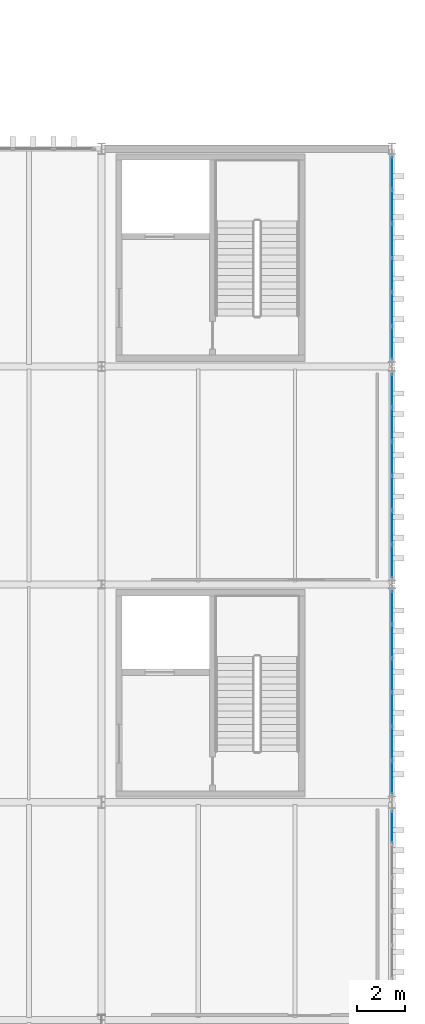
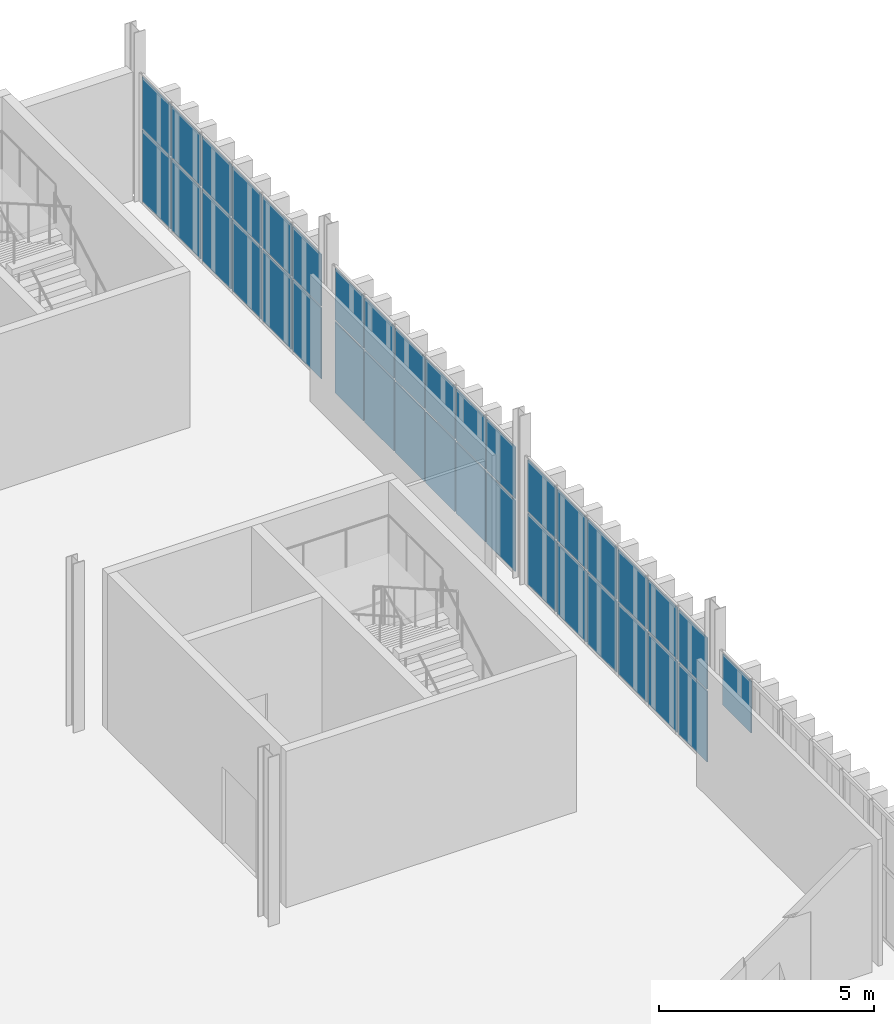
# One storey, part 171 of 196: 37 plates, 4 elements without a shape of their own.
"""IFC4 building model written with IfcOpenShell, lengths in metres."""

from ifc_helpers import new_model, si_unit, direction, frame, origin, origin_2d, place, context, subcontext, project, spatial, rectangle, extrude, material, layer, layer_set, type_object, element, aggregate, save


model = new_model("IFC4")

# Units and contexts
model_context = context("Model", 3, precision=1e-05, world=origin(), true_north=direction((0.0, 1.0)))
body_context = subcontext(model_context, "Body", "Model", "MODEL_VIEW")
ifc_project = project(units=[si_unit("LENGTHUNIT", "METRE"), si_unit("AREAUNIT", "SQUARE_METRE"), si_unit("VOLUMEUNIT", "CUBIC_METRE"), si_unit("PLANEANGLEUNIT", "RADIAN"), si_unit("MASSUNIT", "GRAM", prefix="KILO")], contexts=[model_context])

# Site, building, storey
site_placement = place(None, origin())
site = spatial("IfcSite", under=ifc_project, at=site_placement, CompositionType="ELEMENT")
building_placement = place(site_placement, origin())
building = spatial("IfcBuilding", under=site, at=building_placement, Name="Barlavento Convention Centre", CompositionType="ELEMENT")
storey_placement = place(building_placement, frame((0.0, 0.0, 18.0)))
storey = spatial("IfcBuildingStorey", under=building, at=storey_placement, Name="L03", CompositionType="ELEMENT", Elevation=18.0)

# Curtain wall, plate
ifc_material_1 = material(Name="Powder-coated aluminium and Low-E glass", Category="aluminium")
ifc_layer_1 = layer(ifc_material_1, 0.179931640625)
ifc_layer_set_1 = layer_set([ifc_layer_1], Name="ARC-CW-CONF-L03")
curtain_wall_type = type_object("IfcCurtainWallType", Name="ARC-CW-CONF-L03", PredefinedType="NOTDEFINED", material=ifc_layer_set_1)
curtain_wall_1_placement = place(storey_placement, origin())
curtain_wall_1 = element("IfcCurtainWall", 1, at=curtain_wall_1_placement, inside=storey, type_object=curtain_wall_type, Name="L03 unitised curtain wall CW08", PredefinedType="NOTDEFINED")
ifc_material_2 = material(Name="Double-silver Low-E insulated glass", Category="glass")
ifc_layer_2 = layer(ifc_material_2, 0.028076171875)
ifc_layer_set_2 = layer_set([ifc_layer_2], Name="ARC-CWP-GLZ28")
plate_type = type_object("IfcPlateType", Name="ARC-CWP-GLZ28", PredefinedType="CURTAIN_PANEL", material=ifc_layer_set_2)
plate_1_placement = place(storey_placement, frame((192.0, 70.974609375, 2.130126953125), z_axis=(0.0, 0.0, 1.0), x_axis=(0.0, 1.0, 0.0)))
plate_1 = element("IfcPlate", 2, at=plate_1_placement, type_object=plate_type, Name="CW08 panel 6.2", PredefinedType="CURTAIN_PANEL", context=body_context, shape_type="SweptSolid", body=[
    extrude(rectangle(XDim=1.310791015625, YDim=0.028076171875, at=origin_2d()), origin(), (0.0, 0.0, 1.0), 1.4599609375),
])
aggregate(curtain_wall_1, [plate_1])

# Curtain wall, plates
curtain_wall_2_placement = place(storey_placement, origin())
curtain_wall_2 = element("IfcCurtainWall", 3, at=curtain_wall_2_placement, inside=storey, type_object=curtain_wall_type, Name="L03 unitised curtain wall CW08", PredefinedType="NOTDEFINED")
plate_2_placement = place(storey_placement, frame((192.0, 73.030029296875, 0.06005859375), z_axis=(0.0, 0.0, 1.0), x_axis=(0.0, 1.0, 0.0)))
plate_2 = element("IfcPlate", 4, at=plate_2_placement, type_object=plate_type, Name="CW08 panel 1.1", PredefinedType="CURTAIN_PANEL", context=body_context, shape_type="SweptSolid", body=[
    extrude(rectangle(XDim=1.320068359375, YDim=0.028076171875, at=origin_2d()), origin(), (0.0, 0.0, 1.0), 2.010009765625),
])
plate_3_placement = place(storey_placement, frame((192.0, 73.030029296875, 2.130126953125), z_axis=(0.0, 0.0, 1.0), x_axis=(0.0, 1.0, 0.0)))
plate_3 = element("IfcPlate", 5, at=plate_3_placement, type_object=plate_type, Name="CW08 panel 1.2", PredefinedType="CURTAIN_PANEL", context=body_context, shape_type="SweptSolid", body=[
    extrude(rectangle(XDim=1.320068359375, YDim=0.028076171875, at=origin_2d()), origin(), (0.0, 0.0, 1.0), 1.4599609375),
])
plate_4_placement = place(storey_placement, frame((192.0, 74.425048828125, 0.06005859375), z_axis=(0.0, 0.0, 1.0), x_axis=(0.0, 1.0, 0.0)))
plate_4 = element("IfcPlate", 6, at=plate_4_placement, type_object=plate_type, Name="CW08 panel 2.1", PredefinedType="CURTAIN_PANEL", context=body_context, shape_type="SweptSolid", body=[
    extrude(rectangle(XDim=1.35009765625, YDim=0.028076171875, at=origin_2d()), origin(), (0.0, 0.0, 1.0), 2.010009765625),
])
plate_5_placement = place(storey_placement, frame((192.0, 74.425048828125, 2.130126953125), z_axis=(0.0, 0.0, 1.0), x_axis=(0.0, 1.0, 0.0)))
plate_5 = element("IfcPlate", 7, at=plate_5_placement, type_object=plate_type, Name="CW08 panel 2.2", PredefinedType="CURTAIN_PANEL", context=body_context, shape_type="SweptSolid", body=[
    extrude(rectangle(XDim=1.35009765625, YDim=0.028076171875, at=origin_2d()), origin(), (0.0, 0.0, 1.0), 1.4599609375),
])
plate_6_placement = place(storey_placement, frame((192.0, 75.8349609375, 0.06005859375), z_axis=(0.0, 0.0, 1.0), x_axis=(0.0, 1.0, 0.0)))
plate_6 = element("IfcPlate", 8, at=plate_6_placement, type_object=plate_type, Name="CW08 panel 3.1", PredefinedType="CURTAIN_PANEL", context=body_context, shape_type="SweptSolid", body=[
    extrude(rectangle(XDim=1.35009765625, YDim=0.028076171875, at=origin_2d()), origin(), (0.0, 0.0, 1.0), 2.010009765625),
])
plate_7_placement = place(storey_placement, frame((192.0, 75.8349609375, 2.130126953125), z_axis=(0.0, 0.0, 1.0), x_axis=(0.0, 1.0, 0.0)))
plate_7 = element("IfcPlate", 9, at=plate_7_placement, type_object=plate_type, Name="CW08 panel 3.2", PredefinedType="CURTAIN_PANEL", context=body_context, shape_type="SweptSolid", body=[
    extrude(rectangle(XDim=1.35009765625, YDim=0.028076171875, at=origin_2d()), origin(), (0.0, 0.0, 1.0), 1.4599609375),
])
plate_8_placement = place(storey_placement, frame((192.0, 77.2451171875, 0.06005859375), z_axis=(0.0, 0.0, 1.0), x_axis=(0.0, 1.0, 0.0)))
plate_8 = element("IfcPlate", 10, at=plate_8_placement, type_object=plate_type, Name="CW08 panel 4.1", PredefinedType="CURTAIN_PANEL", context=body_context, shape_type="SweptSolid", body=[
    extrude(rectangle(XDim=1.35009765625, YDim=0.028076171875, at=origin_2d()), origin(), (0.0, 0.0, 1.0), 2.010009765625),
])
plate_9_placement = place(storey_placement, frame((192.0, 77.2451171875, 2.130126953125), z_axis=(0.0, 0.0, 1.0), x_axis=(0.0, 1.0, 0.0)))
plate_9 = element("IfcPlate", 11, at=plate_9_placement, type_object=plate_type, Name="CW08 panel 4.2", PredefinedType="CURTAIN_PANEL", context=body_context, shape_type="SweptSolid", body=[
    extrude(rectangle(XDim=1.35009765625, YDim=0.028076171875, at=origin_2d()), origin(), (0.0, 0.0, 1.0), 1.4599609375),
])
plate_10_placement = place(storey_placement, frame((192.0, 78.655029296875, 0.06005859375), z_axis=(0.0, 0.0, 1.0), x_axis=(0.0, 1.0, 0.0)))
plate_10 = element("IfcPlate", 12, at=plate_10_placement, type_object=plate_type, Name="CW08 panel 5.1", PredefinedType="CURTAIN_PANEL", context=body_context, shape_type="SweptSolid", body=[
    extrude(rectangle(XDim=1.35009765625, YDim=0.028076171875, at=origin_2d()), origin(), (0.0, 0.0, 1.0), 2.010009765625),
])
plate_11_placement = place(storey_placement, frame((192.0, 78.655029296875, 2.130126953125), z_axis=(0.0, 0.0, 1.0), x_axis=(0.0, 1.0, 0.0)))
plate_11 = element("IfcPlate", 13, at=plate_11_placement, type_object=plate_type, Name="CW08 panel 5.2", PredefinedType="CURTAIN_PANEL", context=body_context, shape_type="SweptSolid", body=[
    extrude(rectangle(XDim=1.35009765625, YDim=0.028076171875, at=origin_2d()), origin(), (0.0, 0.0, 1.0), 1.4599609375),
])
plate_12_placement = place(storey_placement, frame((192.0, 80.050048828125, 0.06005859375), z_axis=(0.0, 0.0, 1.0), x_axis=(0.0, 1.0, 0.0)))
plate_12 = element("IfcPlate", 14, at=plate_12_placement, type_object=plate_type, Name="CW08 panel 6.1", PredefinedType="CURTAIN_PANEL", context=body_context, shape_type="SweptSolid", body=[
    extrude(rectangle(XDim=1.320068359375, YDim=0.028076171875, at=origin_2d()), origin(), (0.0, 0.0, 1.0), 2.010009765625),
])
plate_13_placement = place(storey_placement, frame((192.0, 80.050048828125, 2.130126953125), z_axis=(0.0, 0.0, 1.0), x_axis=(0.0, 1.0, 0.0)))
plate_13 = element("IfcPlate", 15, at=plate_13_placement, type_object=plate_type, Name="CW08 panel 6.2", PredefinedType="CURTAIN_PANEL", context=body_context, shape_type="SweptSolid", body=[
    extrude(rectangle(XDim=1.320068359375, YDim=0.028076171875, at=origin_2d()), origin(), (0.0, 0.0, 1.0), 1.4599609375),
])
aggregate(curtain_wall_2, [plate_2, plate_3, plate_4, plate_5, plate_6, plate_7, plate_8, plate_9, plate_10, plate_11, plate_12, plate_13])

curtain_wall_3_placement = place(storey_placement, origin())
curtain_wall_3 = element("IfcCurtainWall", 16, at=curtain_wall_3_placement, inside=storey, type_object=curtain_wall_type, Name="L03 unitised curtain wall CW08", PredefinedType="NOTDEFINED")
plate_14_placement = place(storey_placement, frame((192.0, 81.9541015625, 0.06005859375), z_axis=(0.0, 0.0, 1.0), x_axis=(0.0, 1.0, 0.0)))
plate_14 = element("IfcPlate", 17, at=plate_14_placement, type_object=plate_type, Name="CW08 panel 1.1", PredefinedType="CURTAIN_PANEL", context=body_context, shape_type="SweptSolid", body=[
    extrude(rectangle(XDim=1.328369140625, YDim=0.028076171875, at=origin_2d()), origin(), (0.0, 0.0, 1.0), 2.010009765625),
])
plate_15_placement = place(storey_placement, frame((192.0, 81.9541015625, 2.130126953125), z_axis=(0.0, 0.0, 1.0), x_axis=(0.0, 1.0, 0.0)))
plate_15 = element("IfcPlate", 18, at=plate_15_placement, type_object=plate_type, Name="CW08 panel 1.2", PredefinedType="CURTAIN_PANEL", context=body_context, shape_type="SweptSolid", body=[
    extrude(rectangle(XDim=1.328369140625, YDim=0.028076171875, at=origin_2d()), origin(), (0.0, 0.0, 1.0), 1.4599609375),
])
plate_16_placement = place(storey_placement, frame((192.0, 83.357421875, 0.06005859375), z_axis=(0.0, 0.0, 1.0), x_axis=(0.0, 1.0, 0.0)))
plate_16 = element("IfcPlate", 19, at=plate_16_placement, type_object=plate_type, Name="CW08 panel 2.1", PredefinedType="CURTAIN_PANEL", context=body_context, shape_type="SweptSolid", body=[
    extrude(rectangle(XDim=1.3583984375, YDim=0.028076171875, at=origin_2d()), origin(), (0.0, 0.0, 1.0), 2.010009765625),
])
plate_17_placement = place(storey_placement, frame((192.0, 83.357421875, 2.130126953125), z_axis=(0.0, 0.0, 1.0), x_axis=(0.0, 1.0, 0.0)))
plate_17 = element("IfcPlate", 20, at=plate_17_placement, type_object=plate_type, Name="CW08 panel 2.2", PredefinedType="CURTAIN_PANEL", context=body_context, shape_type="SweptSolid", body=[
    extrude(rectangle(XDim=1.3583984375, YDim=0.028076171875, at=origin_2d()), origin(), (0.0, 0.0, 1.0), 1.4599609375),
])
plate_18_placement = place(storey_placement, frame((192.0, 84.77587890625, 0.06005859375), z_axis=(0.0, 0.0, 1.0), x_axis=(0.0, 1.0, 0.0)))
plate_18 = element("IfcPlate", 21, at=plate_18_placement, type_object=plate_type, Name="CW08 panel 3.1", PredefinedType="CURTAIN_PANEL", context=body_context, shape_type="SweptSolid", body=[
    extrude(rectangle(XDim=1.3583984375, YDim=0.028076171875, at=origin_2d()), origin(), (0.0, 0.0, 1.0), 2.010009765625),
])
plate_19_placement = place(storey_placement, frame((192.0, 84.77587890625, 2.130126953125), z_axis=(0.0, 0.0, 1.0), x_axis=(0.0, 1.0, 0.0)))
plate_19 = element("IfcPlate", 22, at=plate_19_placement, type_object=plate_type, Name="CW08 panel 3.2", PredefinedType="CURTAIN_PANEL", context=body_context, shape_type="SweptSolid", body=[
    extrude(rectangle(XDim=1.3583984375, YDim=0.028076171875, at=origin_2d()), origin(), (0.0, 0.0, 1.0), 1.4599609375),
])
plate_20_placement = place(storey_placement, frame((192.0, 86.194091796875, 0.06005859375), z_axis=(0.0, 0.0, 1.0), x_axis=(0.0, 1.0, 0.0)))
plate_20 = element("IfcPlate", 23, at=plate_20_placement, type_object=plate_type, Name="CW08 panel 4.1", PredefinedType="CURTAIN_PANEL", context=body_context, shape_type="SweptSolid", body=[
    extrude(rectangle(XDim=1.3583984375, YDim=0.028076171875, at=origin_2d()), origin(), (0.0, 0.0, 1.0), 2.010009765625),
])
plate_21_placement = place(storey_placement, frame((192.0, 86.194091796875, 2.130126953125), z_axis=(0.0, 0.0, 1.0), x_axis=(0.0, 1.0, 0.0)))
plate_21 = element("IfcPlate", 24, at=plate_21_placement, type_object=plate_type, Name="CW08 panel 4.2", PredefinedType="CURTAIN_PANEL", context=body_context, shape_type="SweptSolid", body=[
    extrude(rectangle(XDim=1.3583984375, YDim=0.028076171875, at=origin_2d()), origin(), (0.0, 0.0, 1.0), 1.4599609375),
])
plate_22_placement = place(storey_placement, frame((192.0, 87.612548828125, 0.06005859375), z_axis=(0.0, 0.0, 1.0), x_axis=(0.0, 1.0, 0.0)))
plate_22 = element("IfcPlate", 25, at=plate_22_placement, type_object=plate_type, Name="CW08 panel 5.1", PredefinedType="CURTAIN_PANEL", context=body_context, shape_type="SweptSolid", body=[
    extrude(rectangle(XDim=1.3583984375, YDim=0.028076171875, at=origin_2d()), origin(), (0.0, 0.0, 1.0), 2.010009765625),
])
plate_23_placement = place(storey_placement, frame((192.0, 87.612548828125, 2.130126953125), z_axis=(0.0, 0.0, 1.0), x_axis=(0.0, 1.0, 0.0)))
plate_23 = element("IfcPlate", 26, at=plate_23_placement, type_object=plate_type, Name="CW08 panel 5.2", PredefinedType="CURTAIN_PANEL", context=body_context, shape_type="SweptSolid", body=[
    extrude(rectangle(XDim=1.3583984375, YDim=0.028076171875, at=origin_2d()), origin(), (0.0, 0.0, 1.0), 1.4599609375),
])
plate_24_placement = place(storey_placement, frame((192.0, 89.015869140625, 0.06005859375), z_axis=(0.0, 0.0, 1.0), x_axis=(0.0, 1.0, 0.0)))
plate_24 = element("IfcPlate", 27, at=plate_24_placement, type_object=plate_type, Name="CW08 panel 6.1", PredefinedType="CURTAIN_PANEL", context=body_context, shape_type="SweptSolid", body=[
    extrude(rectangle(XDim=1.328369140625, YDim=0.028076171875, at=origin_2d()), origin(), (0.0, 0.0, 1.0), 2.010009765625),
])
plate_25_placement = place(storey_placement, frame((192.0, 89.015869140625, 2.130126953125), z_axis=(0.0, 0.0, 1.0), x_axis=(0.0, 1.0, 0.0)))
plate_25 = element("IfcPlate", 28, at=plate_25_placement, type_object=plate_type, Name="CW08 panel 6.2", PredefinedType="CURTAIN_PANEL", context=body_context, shape_type="SweptSolid", body=[
    extrude(rectangle(XDim=1.328369140625, YDim=0.028076171875, at=origin_2d()), origin(), (0.0, 0.0, 1.0), 1.4599609375),
])
aggregate(curtain_wall_3, [plate_14, plate_15, plate_16, plate_17, plate_18, plate_19, plate_20, plate_21, plate_22, plate_23, plate_24, plate_25])

curtain_wall_4_placement = place(storey_placement, origin())
curtain_wall_4 = element("IfcCurtainWall", 29, at=curtain_wall_4_placement, inside=storey, type_object=curtain_wall_type, Name="L03 unitised curtain wall CW08", PredefinedType="NOTDEFINED")
plate_26_placement = place(storey_placement, frame((192.0, 90.9794921875, 0.06005859375), z_axis=(0.0, 0.0, 1.0), x_axis=(0.0, 1.0, 0.0)))
plate_26 = element("IfcPlate", 30, at=plate_26_placement, type_object=plate_type, Name="CW08 panel 1.1", PredefinedType="CURTAIN_PANEL", context=body_context, shape_type="SweptSolid", body=[
    extrude(rectangle(XDim=1.319091796875, YDim=0.028076171875, at=origin_2d()), origin(), (0.0, 0.0, 1.0), 2.010009765625),
])
plate_27_placement = place(storey_placement, frame((192.0, 90.9794921875, 2.130126953125), z_axis=(0.0, 0.0, 1.0), x_axis=(0.0, 1.0, 0.0)))
plate_27 = element("IfcPlate", 31, at=plate_27_placement, type_object=plate_type, Name="CW08 panel 1.2", PredefinedType="CURTAIN_PANEL", context=body_context, shape_type="SweptSolid", body=[
    extrude(rectangle(XDim=1.319091796875, YDim=0.028076171875, at=origin_2d()), origin(), (0.0, 0.0, 1.0), 1.4599609375),
])
plate_28_placement = place(storey_placement, frame((192.0, 92.373779296875, 0.06005859375), z_axis=(0.0, 0.0, 1.0), x_axis=(0.0, 1.0, 0.0)))
plate_28 = element("IfcPlate", 32, at=plate_28_placement, type_object=plate_type, Name="CW08 panel 2.1", PredefinedType="CURTAIN_PANEL", context=body_context, shape_type="SweptSolid", body=[
    extrude(rectangle(XDim=1.34912109375, YDim=0.028076171875, at=origin_2d()), origin(), (0.0, 0.0, 1.0), 2.010009765625),
])
plate_29_placement = place(storey_placement, frame((192.0, 92.373779296875, 2.130126953125), z_axis=(0.0, 0.0, 1.0), x_axis=(0.0, 1.0, 0.0)))
plate_29 = element("IfcPlate", 33, at=plate_29_placement, type_object=plate_type, Name="CW08 panel 2.2", PredefinedType="CURTAIN_PANEL", context=body_context, shape_type="SweptSolid", body=[
    extrude(rectangle(XDim=1.34912109375, YDim=0.028076171875, at=origin_2d()), origin(), (0.0, 0.0, 1.0), 1.4599609375),
])
plate_30_placement = place(storey_placement, frame((192.0, 93.782958984375, 0.06005859375), z_axis=(0.0, 0.0, 1.0), x_axis=(0.0, 1.0, 0.0)))
plate_30 = element("IfcPlate", 34, at=plate_30_placement, type_object=plate_type, Name="CW08 panel 3.1", PredefinedType="CURTAIN_PANEL", context=body_context, shape_type="SweptSolid", body=[
    extrude(rectangle(XDim=1.34912109375, YDim=0.028076171875, at=origin_2d()), origin(), (0.0, 0.0, 1.0), 2.010009765625),
])
plate_31_placement = place(storey_placement, frame((192.0, 93.782958984375, 2.130126953125), z_axis=(0.0, 0.0, 1.0), x_axis=(0.0, 1.0, 0.0)))
plate_31 = element("IfcPlate", 35, at=plate_31_placement, type_object=plate_type, Name="CW08 panel 3.2", PredefinedType="CURTAIN_PANEL", context=body_context, shape_type="SweptSolid", body=[
    extrude(rectangle(XDim=1.34912109375, YDim=0.028076171875, at=origin_2d()), origin(), (0.0, 0.0, 1.0), 1.4599609375),
])
plate_32_placement = place(storey_placement, frame((192.0, 95.192138671875, 0.06005859375), z_axis=(0.0, 0.0, 1.0), x_axis=(0.0, 1.0, 0.0)))
plate_32 = element("IfcPlate", 36, at=plate_32_placement, type_object=plate_type, Name="CW08 panel 4.1", PredefinedType="CURTAIN_PANEL", context=body_context, shape_type="SweptSolid", body=[
    extrude(rectangle(XDim=1.34912109375, YDim=0.028076171875, at=origin_2d()), origin(), (0.0, 0.0, 1.0), 2.010009765625),
])
plate_33_placement = place(storey_placement, frame((192.0, 95.192138671875, 2.130126953125), z_axis=(0.0, 0.0, 1.0), x_axis=(0.0, 1.0, 0.0)))
plate_33 = element("IfcPlate", 37, at=plate_33_placement, type_object=plate_type, Name="CW08 panel 4.2", PredefinedType="CURTAIN_PANEL", context=body_context, shape_type="SweptSolid", body=[
    extrude(rectangle(XDim=1.34912109375, YDim=0.028076171875, at=origin_2d()), origin(), (0.0, 0.0, 1.0), 1.4599609375),
])
plate_34_placement = place(storey_placement, frame((192.0, 96.601318359375, 0.06005859375), z_axis=(0.0, 0.0, 1.0), x_axis=(0.0, 1.0, 0.0)))
plate_34 = element("IfcPlate", 38, at=plate_34_placement, type_object=plate_type, Name="CW08 panel 5.1", PredefinedType="CURTAIN_PANEL", context=body_context, shape_type="SweptSolid", body=[
    extrude(rectangle(XDim=1.34912109375, YDim=0.028076171875, at=origin_2d()), origin(), (0.0, 0.0, 1.0), 2.010009765625),
])
plate_35_placement = place(storey_placement, frame((192.0, 96.601318359375, 2.130126953125), z_axis=(0.0, 0.0, 1.0), x_axis=(0.0, 1.0, 0.0)))
plate_35 = element("IfcPlate", 39, at=plate_35_placement, type_object=plate_type, Name="CW08 panel 5.2", PredefinedType="CURTAIN_PANEL", context=body_context, shape_type="SweptSolid", body=[
    extrude(rectangle(XDim=1.34912109375, YDim=0.028076171875, at=origin_2d()), origin(), (0.0, 0.0, 1.0), 1.4599609375),
])
plate_36_placement = place(storey_placement, frame((192.0, 97.995361328125, 0.06005859375), z_axis=(0.0, 0.0, 1.0), x_axis=(0.0, 1.0, 0.0)))
plate_36 = element("IfcPlate", 40, at=plate_36_placement, type_object=plate_type, Name="CW08 panel 6.1", PredefinedType="CURTAIN_PANEL", context=body_context, shape_type="SweptSolid", body=[
    extrude(rectangle(XDim=1.319091796875, YDim=0.028076171875, at=origin_2d()), origin(), (0.0, 0.0, 1.0), 2.010009765625),
])
plate_37_placement = place(storey_placement, frame((192.0, 97.995361328125, 2.130126953125), z_axis=(0.0, 0.0, 1.0), x_axis=(0.0, 1.0, 0.0)))
plate_37 = element("IfcPlate", 41, at=plate_37_placement, type_object=plate_type, Name="CW08 panel 6.2", PredefinedType="CURTAIN_PANEL", context=body_context, shape_type="SweptSolid", body=[
    extrude(rectangle(XDim=1.319091796875, YDim=0.028076171875, at=origin_2d()), origin(), (0.0, 0.0, 1.0), 1.4599609375),
])
aggregate(curtain_wall_4, [plate_26, plate_27, plate_28, plate_29, plate_30, plate_31, plate_32, plate_33, plate_34, plate_35, plate_36, plate_37])

save(model, "model.ifc")
